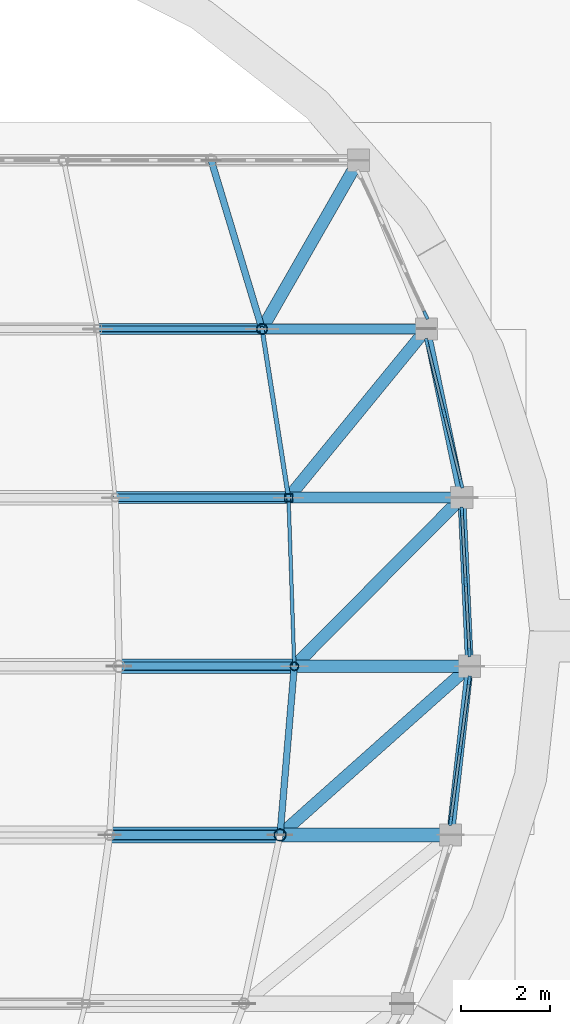
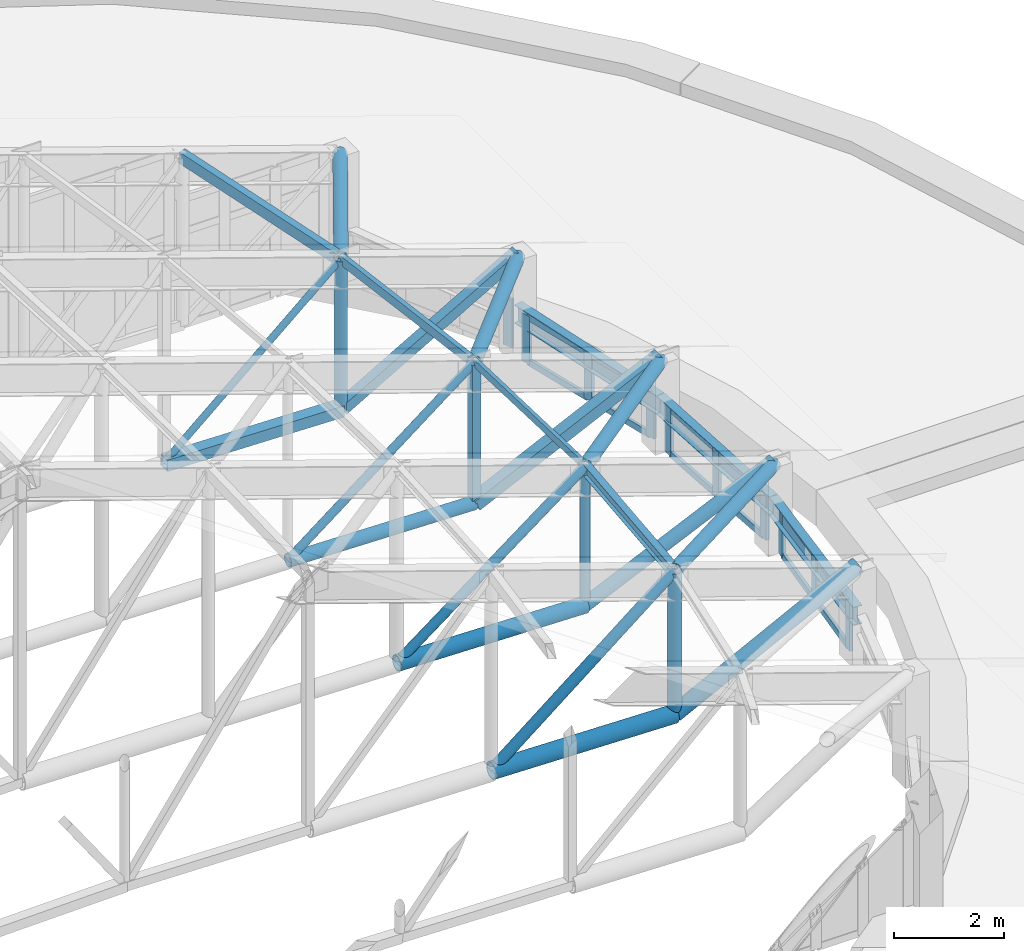
# One storey, part 20 of 105: 46 members, 3 beams, 4 elements without a shape of their own.
"""IFC4 building model written with IfcOpenShell, lengths in metres."""

from ifc_helpers import new_model, si_unit, direction, frame, origin, origin_2d, place, context, subcontext, project, spatial, rectangle, hollow_rectangle, hollow_circle, i_section, extrude, material, material_profile, profile_set, type_object, element, aggregate, save


model = new_model("IFC4")

# Units and contexts
model_context = context("Model", 3, precision=1e-05, world=origin(), true_north=direction((0.0, 1.0)))
body_context = subcontext(model_context, "Body", "Model", "MODEL_VIEW")
ifc_project = project(units=[si_unit("LENGTHUNIT", "METRE"), si_unit("AREAUNIT", "SQUARE_METRE"), si_unit("VOLUMEUNIT", "CUBIC_METRE"), si_unit("PLANEANGLEUNIT", "RADIAN"), si_unit("MASSUNIT", "GRAM", prefix="KILO")], contexts=[model_context])

# Site, building, storey
site_placement = place(None, origin())
site = spatial("IfcSite", under=ifc_project, at=site_placement, CompositionType="ELEMENT")
building_placement = place(site_placement, origin())
building = spatial("IfcBuilding", under=site, at=building_placement, Name="Corveleigh Park Community Centre", CompositionType="ELEMENT")
storey_placement = place(building_placement, frame((0.0, 0.0, 8.699951171875)))
storey = spatial("IfcBuildingStorey", under=building, at=storey_placement, Name="L02", CompositionType="ELEMENT", Elevation=8.699951171875)

# Beams
ifc_material_1 = material(Name="Steel S355", Category="steel")
ifc_material_profile_1 = material_profile(ifc_material_1, i_section(OverallWidth=0.1787109375, OverallDepth=0.409423828125, WebThickness=0.0087890625, FlangeThickness=0.014404296875, at=origin_2d()), Name="UKB 406x178x67", Category="steel")
ifc_profile_set_1 = profile_set([ifc_material_profile_1], Name="Steel S355")
beam_type = type_object("IfcBeamType", Name="BM-STL-UKB406x67", PredefinedType="BEAM", material=ifc_profile_set_1)
beam_1_placement = place(storey_placement, frame((46.359619140625, 23.0048828125, 0.915283203125), z_axis=(0.111892750886, 0.993720288763, 0.0), x_axis=(-0.993720288763, 0.111892750886, 0.0)))
element("IfcBeam", 1, at=beam_1_placement, inside=storey, type_object=beam_type, Name="V1 East Eave Tie Beam", PredefinedType="BEAM", context=body_context, shape_type="SweptSolid", body=[
    extrude(i_section(OverallWidth=0.1787109375, OverallDepth=0.409423828125, WebThickness=0.0087890625, FlangeThickness=0.014404296875, at=origin_2d()), origin(), (0.0, 0.0, 1.0), 3.81396484375),
])
beam_2_placement = place(storey_placement, frame((46.786865234375, 26.804931640625, 0.915283203125), z_axis=(-0.045495229392, 0.998964555979, 0.0), x_axis=(-0.998964555979, -0.045495229392, 0.0)))
element("IfcBeam", 2, at=beam_2_placement, inside=storey, type_object=beam_type, Name="V1 East Eave Tie Beam", PredefinedType="BEAM", context=body_context, shape_type="SweptSolid", body=[
    extrude(i_section(OverallWidth=0.1787109375, OverallDepth=0.409423828125, WebThickness=0.0087890625, FlangeThickness=0.014404296875, at=origin_2d()), origin(), (0.0, 0.0, 1.0), 3.7939453125),
])
beam_3_placement = place(storey_placement, frame((46.613037109375, 30.60498046875, 0.915283203125), z_axis=(-0.204790105702, 0.978805911612, 0.0), x_axis=(-0.978805911612, -0.204790105702, 0.0)))
element("IfcBeam", 3, at=beam_3_placement, inside=storey, type_object=beam_type, Name="V1 East Eave Tie Beam", PredefinedType="BEAM", context=body_context, shape_type="SweptSolid", body=[
    extrude(i_section(OverallWidth=0.1787109375, OverallDepth=0.409423828125, WebThickness=0.0087890625, FlangeThickness=0.014404296875, at=origin_2d()), origin(), (0.0, 0.0, 1.0), 3.8720703125),
])

# Curtain wall, members
ifc_material_2 = material(Name="Anodised aluminium 6063-T6", Category="aluminium")
curtain_wall_type = type_object("IfcCurtainWallType", Name="CW-SYS-V1-L00", PredefinedType="NOTDEFINED", material=ifc_material_2)
curtain_wall_1_placement = place(storey_placement, origin())
curtain_wall_1 = element("IfcCurtainWall", 4, at=curtain_wall_1_placement, inside=storey, type_object=curtain_wall_type, Name="Main Hall East Eave Clerestory 3", PredefinedType="NOTDEFINED")
ifc_material_profile_2 = material_profile(ifc_material_2, rectangle(XDim=0.070068359375, YDim=0.199951171875, at=origin_2d()), Name="ALU-M70x200", Category="aluminium")
ifc_profile_set_2 = profile_set([ifc_material_profile_2], Name="Anodised aluminium 6063-T6")
member_type_1 = type_object("IfcMemberType", Name="CWM-70x200", PredefinedType="MULLION", material=ifc_profile_set_2)
member_1_placement = place(storey_placement, frame((46.782470703125, 26.4853515625, 0.0), z_axis=(0.0, 0.0, 1.0), x_axis=(0.991387512069, -0.130961066405, 0.0)))
member_1 = element("IfcMember", 5, at=member_1_placement, type_object=member_type_1, Name="CW01 mullion 1", PredefinedType="MULLION", context=body_context, shape_type="SweptSolid", body=[
    extrude(rectangle(XDim=0.070068359375, YDim=0.199951171875, at=origin_2d()), origin(), (0.0, 0.0, 1.0), 1.06005859375),
])
member_2_placement = place(storey_placement, frame((46.572998046875, 24.89990234375, 0.0), z_axis=(0.0, 0.0, 1.0), x_axis=(0.991387512069, -0.130961066405, 0.0)))
member_2 = element("IfcMember", 6, at=member_2_placement, type_object=member_type_1, Name="CW01 mullion 2", PredefinedType="MULLION", context=body_context, shape_type="SweptSolid", body=[
    extrude(rectangle(XDim=0.070068359375, YDim=0.199951171875, at=origin_2d()), origin(), (0.0, 0.0, 1.0), 1.06005859375),
])
member_3_placement = place(storey_placement, frame((46.363525390625, 23.314697265625, 0.0), z_axis=(0.0, 0.0, 1.0), x_axis=(0.991387512069, -0.130961066405, 0.0)))
member_3 = element("IfcMember", 7, at=member_3_placement, type_object=member_type_1, Name="CW01 mullion 3", PredefinedType="MULLION", context=body_context, shape_type="SweptSolid", body=[
    extrude(rectangle(XDim=0.070068359375, YDim=0.199951171875, at=origin_2d()), origin(), (0.0, 0.0, 1.0), 1.06005859375),
])

curtain_wall_2_placement = place(storey_placement, origin())
curtain_wall_2 = element("IfcCurtainWall", 8, at=curtain_wall_2_placement, inside=storey, type_object=curtain_wall_type, Name="Main Hall East Eave Clerestory 4", PredefinedType="NOTDEFINED")
member_4_placement = place(storey_placement, frame((46.615966796875, 30.28515625, 0.0), z_axis=(0.0, 0.0, 1.0), x_axis=(0.998577524613, 0.053319108566, 0.0)))
member_4 = element("IfcMember", 9, at=member_4_placement, type_object=member_type_1, Name="CW01 mullion 1", PredefinedType="MULLION", context=body_context, shape_type="SweptSolid", body=[
    extrude(rectangle(XDim=0.070068359375, YDim=0.199951171875, at=origin_2d()), origin(), (0.0, 0.0, 1.0), 1.06005859375),
])
member_5_placement = place(storey_placement, frame((46.700439453125, 28.699951171875, 0.0), z_axis=(0.0, 0.0, 1.0), x_axis=(0.998577524613, 0.053319108566, 0.0)))
member_5 = element("IfcMember", 10, at=member_5_placement, type_object=member_type_1, Name="CW01 mullion 2", PredefinedType="MULLION", context=body_context, shape_type="SweptSolid", body=[
    extrude(rectangle(XDim=0.070068359375, YDim=0.199951171875, at=origin_2d()), origin(), (0.0, 0.0, 1.0), 1.06005859375),
])
member_6_placement = place(storey_placement, frame((46.78515625, 27.114990234375, 0.0), z_axis=(0.0, 0.0, 1.0), x_axis=(0.998577524613, 0.053319108566, 0.0)))
member_6 = element("IfcMember", 11, at=member_6_placement, type_object=member_type_1, Name="CW01 mullion 3", PredefinedType="MULLION", context=body_context, shape_type="SweptSolid", body=[
    extrude(rectangle(XDim=0.070068359375, YDim=0.199951171875, at=origin_2d()), origin(), (0.0, 0.0, 1.0), 1.06005859375),
])

curtain_wall_3_placement = place(storey_placement, origin())
curtain_wall_3 = element("IfcCurtainWall", 12, at=curtain_wall_3_placement, inside=storey, type_object=curtain_wall_type, Name="Main Hall East Eave Clerestory 5", PredefinedType="NOTDEFINED")
member_7_placement = place(storey_placement, frame((45.827392578125, 34.0859375, 0.0), z_axis=(0.0, 0.0, 1.0), x_axis=(0.971191213089, 0.238301547662, 0.0)))
member_7 = element("IfcMember", 13, at=member_7_placement, type_object=member_type_1, Name="CW01 mullion 1", PredefinedType="MULLION", context=body_context, shape_type="SweptSolid", body=[
    extrude(rectangle(XDim=0.070068359375, YDim=0.199951171875, at=origin_2d()), origin(), (0.0, 0.0, 1.0), 1.06005859375),
])
member_8_placement = place(storey_placement, frame((46.216552734375, 32.5, 0.0), z_axis=(0.0, 0.0, 1.0), x_axis=(0.971191213089, 0.238301547662, 0.0)))
member_8 = element("IfcMember", 14, at=member_8_placement, type_object=member_type_1, Name="CW01 mullion 2", PredefinedType="MULLION", context=body_context, shape_type="SweptSolid", body=[
    extrude(rectangle(XDim=0.070068359375, YDim=0.199951171875, at=origin_2d()), origin(), (0.0, 0.0, 1.0), 1.06005859375),
])
member_9_placement = place(storey_placement, frame((46.605712890625, 30.9140625, 0.0), z_axis=(0.0, 0.0, 1.0), x_axis=(0.971191213089, 0.238301547662, 0.0)))
member_9 = element("IfcMember", 15, at=member_9_placement, type_object=member_type_1, Name="CW01 mullion 3", PredefinedType="MULLION", context=body_context, shape_type="SweptSolid", body=[
    extrude(rectangle(XDim=0.070068359375, YDim=0.199951171875, at=origin_2d()), origin(), (0.0, 0.0, 1.0), 1.06005859375),
])

# Curtain wall, member
curtain_wall_4_placement = place(storey_placement, origin())
curtain_wall_4 = element("IfcCurtainWall", 16, at=curtain_wall_4_placement, inside=storey, type_object=curtain_wall_type, Name="Main Hall East Eave Clerestory 6", PredefinedType="NOTDEFINED")
member_10_placement = place(storey_placement, frame((45.803955078125, 34.711669921875, 0.0), z_axis=(0.0, 0.0, 1.0), x_axis=(0.904356392626, 0.426778063068, 0.0)))
member_10 = element("IfcMember", 17, at=member_10_placement, type_object=member_type_1, Name="CW01 mullion 4", PredefinedType="MULLION", context=body_context, shape_type="SweptSolid", body=[
    extrude(rectangle(XDim=0.070068359375, YDim=0.199951171875, at=origin_2d()), origin(), (0.0, 0.0, 1.0), 1.06005859375),
])
aggregate(curtain_wall_4, [member_10])

# Member
ifc_material_profile_3 = material_profile(ifc_material_2, rectangle(XDim=0.06494140625, YDim=0.139892578125, at=origin_2d()), Name="ALU-T65x140", Category="aluminium")
ifc_profile_set_3 = profile_set([ifc_material_profile_3], Name="Anodised aluminium 6063-T6")
member_type_2 = type_object("IfcMemberType", Name="CWT-65x140", PredefinedType="USERDEFINED", material=ifc_profile_set_3)
member_11_placement = place(storey_placement, frame((46.77783203125, 26.45068359375, 0.032470703125), z_axis=(-0.130929486273, -0.991391683254, 0.0), x_axis=(0.991391683254, -0.130929486273, 0.0)))
member_11 = element("IfcMember", 18, at=member_11_placement, type_object=member_type_2, Name="CW01 transom 1.1", ObjectType="TRANSOM", PredefinedType="USERDEFINED", context=body_context, shape_type="SweptSolid", body=[
    extrude(rectangle(XDim=0.06494140625, YDim=0.139892578125, at=origin_2d()), origin(), (0.0, 0.0, 1.0), 1.529052734375),
])

member_12_placement = place(storey_placement, frame((46.77783203125, 26.45068359375, 1.027587890625), z_axis=(-0.130929486273, -0.991391683254, 0.0), x_axis=(0.991391683254, -0.130929486273, 0.0)))
member_12 = element("IfcMember", 19, at=member_12_placement, type_object=member_type_2, Name="CW01 transom 1.2", ObjectType="TRANSOM", PredefinedType="USERDEFINED", context=body_context, shape_type="SweptSolid", body=[
    extrude(rectangle(XDim=0.06494140625, YDim=0.139892578125, at=origin_2d()), origin(), (0.0, 0.0, 1.0), 1.529052734375),
])

member_13_placement = place(storey_placement, frame((46.568359375, 24.865234375, 0.032470703125), z_axis=(-0.130929486273, -0.991391683254, 0.0), x_axis=(0.991391683254, -0.130929486273, 0.0)))
member_13 = element("IfcMember", 20, at=member_13_placement, type_object=member_type_2, Name="CW01 transom 2.1", ObjectType="TRANSOM", PredefinedType="USERDEFINED", context=body_context, shape_type="SweptSolid", body=[
    extrude(rectangle(XDim=0.06494140625, YDim=0.139892578125, at=origin_2d()), origin(), (0.0, 0.0, 1.0), 1.529052734375),
])

member_14_placement = place(storey_placement, frame((46.568359375, 24.865234375, 1.027587890625), z_axis=(-0.130929486273, -0.991391683254, 0.0), x_axis=(0.991391683254, -0.130929486273, 0.0)))
member_14 = element("IfcMember", 21, at=member_14_placement, type_object=member_type_2, Name="CW01 transom 2.2", ObjectType="TRANSOM", PredefinedType="USERDEFINED", context=body_context, shape_type="SweptSolid", body=[
    extrude(rectangle(XDim=0.06494140625, YDim=0.139892578125, at=origin_2d()), origin(), (0.0, 0.0, 1.0), 1.529052734375),
])

aggregate(curtain_wall_1, [member_1, member_2, member_3, member_11, member_12, member_13, member_14])

member_15_placement = place(storey_placement, frame((46.61767578125, 30.25, 0.032470703125), z_axis=(0.053420229436, -0.998572120123, 0.0), x_axis=(0.998572120123, 0.053420229436, 0.0)))
member_15 = element("IfcMember", 22, at=member_15_placement, type_object=member_type_2, Name="CW01 transom 1.1", ObjectType="TRANSOM", PredefinedType="USERDEFINED", context=body_context, shape_type="SweptSolid", body=[
    extrude(rectangle(XDim=0.06494140625, YDim=0.139892578125, at=origin_2d()), origin(), (0.0, 0.0, 1.0), 1.517333984375),
])

member_16_placement = place(storey_placement, frame((46.61767578125, 30.25, 1.027587890625), z_axis=(0.053420229436, -0.998572120123, 0.0), x_axis=(0.998572120123, 0.053420229436, 0.0)))
member_16 = element("IfcMember", 23, at=member_16_placement, type_object=member_type_2, Name="CW01 transom 1.2", ObjectType="TRANSOM", PredefinedType="USERDEFINED", context=body_context, shape_type="SweptSolid", body=[
    extrude(rectangle(XDim=0.06494140625, YDim=0.139892578125, at=origin_2d()), origin(), (0.0, 0.0, 1.0), 1.517333984375),
])

member_17_placement = place(storey_placement, frame((46.702392578125, 28.6650390625, 0.032470703125), z_axis=(0.05325978224, -0.998580690578, 0.0), x_axis=(0.998580690578, 0.05325978224, 0.0)))
member_17 = element("IfcMember", 24, at=member_17_placement, type_object=member_type_2, Name="CW01 transom 2.1", ObjectType="TRANSOM", PredefinedType="USERDEFINED", context=body_context, shape_type="SweptSolid", body=[
    extrude(rectangle(XDim=0.06494140625, YDim=0.139892578125, at=origin_2d()), origin(), (0.0, 0.0, 1.0), 1.517333984375),
])

member_18_placement = place(storey_placement, frame((46.702392578125, 28.6650390625, 1.027587890625), z_axis=(0.05325978224, -0.998580690578, 0.0), x_axis=(0.998580690578, 0.05325978224, 0.0)))
member_18 = element("IfcMember", 25, at=member_18_placement, type_object=member_type_2, Name="CW01 transom 2.2", ObjectType="TRANSOM", PredefinedType="USERDEFINED", context=body_context, shape_type="SweptSolid", body=[
    extrude(rectangle(XDim=0.06494140625, YDim=0.139892578125, at=origin_2d()), origin(), (0.0, 0.0, 1.0), 1.517333984375),
])

aggregate(curtain_wall_2, [member_4, member_5, member_6, member_15, member_16, member_17, member_18])

member_19_placement = place(storey_placement, frame((45.835693359375, 34.052001953125, 0.032470703125), z_axis=(0.238343833451, -0.971180836434, 0.0), x_axis=(0.971180836434, 0.238343833451, 0.0)))
member_19 = element("IfcMember", 26, at=member_19_placement, type_object=member_type_2, Name="CW01 transom 1.1", ObjectType="TRANSOM", PredefinedType="USERDEFINED", context=body_context, shape_type="SweptSolid", body=[
    extrude(rectangle(XDim=0.06494140625, YDim=0.139892578125, at=origin_2d()), origin(), (0.0, 0.0, 1.0), 1.563232421875),
])

member_20_placement = place(storey_placement, frame((45.835693359375, 34.052001953125, 1.027587890625), z_axis=(0.238343833451, -0.971180836434, 0.0), x_axis=(0.971180836434, 0.238343833451, 0.0)))
member_20 = element("IfcMember", 27, at=member_20_placement, type_object=member_type_2, Name="CW01 transom 1.2", ObjectType="TRANSOM", PredefinedType="USERDEFINED", context=body_context, shape_type="SweptSolid", body=[
    extrude(rectangle(XDim=0.06494140625, YDim=0.139892578125, at=origin_2d()), origin(), (0.0, 0.0, 1.0), 1.563232421875),
])

member_21_placement = place(storey_placement, frame((46.224853515625, 32.466064453125, 0.032470703125), z_axis=(0.238343833451, -0.971180836434, 0.0), x_axis=(0.971180836434, 0.238343833451, 0.0)))
member_21 = element("IfcMember", 28, at=member_21_placement, type_object=member_type_2, Name="CW01 transom 2.1", ObjectType="TRANSOM", PredefinedType="USERDEFINED", context=body_context, shape_type="SweptSolid", body=[
    extrude(rectangle(XDim=0.06494140625, YDim=0.139892578125, at=origin_2d()), origin(), (0.0, 0.0, 1.0), 1.563232421875),
])

member_22_placement = place(storey_placement, frame((46.224853515625, 32.466064453125, 1.027587890625), z_axis=(0.238343833451, -0.971180836434, 0.0), x_axis=(0.971180836434, 0.238343833451, 0.0)))
member_22 = element("IfcMember", 29, at=member_22_placement, type_object=member_type_2, Name="CW01 transom 2.2", ObjectType="TRANSOM", PredefinedType="USERDEFINED", context=body_context, shape_type="SweptSolid", body=[
    extrude(rectangle(XDim=0.06494140625, YDim=0.139892578125, at=origin_2d()), origin(), (0.0, 0.0, 1.0), 1.563232421875),
])

aggregate(curtain_wall_3, [member_7, member_8, member_9, member_19, member_20, member_21, member_22])

# Members
ifc_material_profile_4 = material_profile(ifc_material_1, hollow_circle(Radius=0.06982421875, WallThickness=0.008056640625, at=origin_2d()), Name="CHS 139.7x8.0", Category="steel")
ifc_profile_set_4 = profile_set([ifc_material_profile_4], Name="Steel S355")
member_type_3 = type_object("IfcMemberType", Name="MEM-BRC-CHS140", PredefinedType="BRACE", material=ifc_profile_set_4)
member_23_placement = place(storey_placement, frame((42.114013671875, 34.39990234375, 3.40283203125), z_axis=(-0.753917237972, 0.0, -0.656969404378), x_axis=(0.0, -1.0, 0.0)))
element("IfcMember", 30, at=member_23_placement, inside=storey, type_object=member_type_3, Name="V1 Truss T6 Web Diagonal", PredefinedType="BRACE", context=body_context, shape_type="SweptSolid", body=[
    extrude(hollow_circle(Radius=0.06982421875, WallThickness=0.008056640625, at=origin_2d()), origin(), (0.0, 0.0, 1.0), 4.9130859375),
])
ifc_material_profile_5 = material_profile(ifc_material_1, hollow_circle(Radius=0.084228515625, WallThickness=0.008056640625, at=origin_2d()), Name="CHS 168.3x8.0", Category="steel")
ifc_profile_set_5 = profile_set([ifc_material_profile_5], Name="Steel S355")
member_type_4 = type_object("IfcMemberType", Name="MEM-BRC-CHS168", PredefinedType="BRACE", material=ifc_profile_set_5)
member_24_placement = place(storey_placement, frame((42.7099609375, 30.60009765625, 3.19921875), z_axis=(-0.790485073874, 0.0, -0.61248130419), x_axis=(0.0, -1.0, 0.0)))
element("IfcMember", 31, at=member_24_placement, inside=storey, type_object=member_type_4, Name="V1 Truss T5 Web Diagonal", PredefinedType="BRACE", context=body_context, shape_type="SweptSolid", body=[
    extrude(hollow_circle(Radius=0.084228515625, WallThickness=0.008056640625, at=origin_2d()), origin(), (0.0, 0.0, 1.0), 4.9375),
])
ifc_material_profile_6 = material_profile(ifc_material_1, hollow_circle(Radius=0.096923828125, WallThickness=0.010009765625, at=origin_2d()), Name="CHS 193.7x10.0", Category="steel")
ifc_profile_set_6 = profile_set([ifc_material_profile_6], Name="Steel S355")
member_type_5 = type_object("IfcMemberType", Name="MEM-BRC-CHS194", PredefinedType="BRACE", material=ifc_profile_set_6)
member_25_placement = place(storey_placement, frame((42.840087890625, 26.800048828125, 3.15478515625), z_axis=(-0.798106286983, 0.0, -0.602516684149), x_axis=(0.0, -1.0, 0.0)))
element("IfcMember", 32, at=member_25_placement, inside=storey, type_object=member_type_5, Name="V1 Truss T4 Web Diagonal", PredefinedType="BRACE", context=body_context, shape_type="SweptSolid", body=[
    extrude(hollow_circle(Radius=0.096923828125, WallThickness=0.010009765625, at=origin_2d()), origin(), (0.0, 0.0, 1.0), 4.945556640625),
])
ifc_material_profile_7 = material_profile(ifc_material_1, hollow_circle(Radius=0.109619140625, WallThickness=0.010009765625, at=origin_2d()), Name="CHS 219.1x10.0", Category="steel")
ifc_profile_set_7 = profile_set([ifc_material_profile_7], Name="Steel S355")
member_type_6 = type_object("IfcMemberType", Name="MEM-BRC-CHS219", PredefinedType="BRACE", material=ifc_profile_set_7)
member_26_placement = place(storey_placement, frame((42.51904296875, 23.0, 3.264404296875), z_axis=(-0.779077196952, 0.0, -0.626928003194), x_axis=(0.0, -1.0, 0.0)))
element("IfcMember", 33, at=member_26_placement, inside=storey, type_object=member_type_6, Name="V1 Truss T3 Web Diagonal", PredefinedType="BRACE", context=body_context, shape_type="SweptSolid", body=[
    extrude(hollow_circle(Radius=0.109619140625, WallThickness=0.010009765625, at=origin_2d()), origin(), (0.0, 0.0, 1.0), 4.927734375),
])
ifc_material_profile_8 = material_profile(ifc_material_1, hollow_circle(Radius=0.136474609375, WallThickness=0.012451171875, at=origin_2d()), Name="CHS 273.0x12.5", Category="steel")
ifc_profile_set_8 = profile_set([ifc_material_profile_8], Name="Steel S355")
member_type_7 = type_object("IfcMemberType", Name="MEM-CHD-CHS273", PredefinedType="CHORD", material=ifc_profile_set_8)
member_27_placement = place(storey_placement, frame((42.840087890625, 26.800048828125, 0.087158203125), z_axis=(0.90950911558, 0.0, 0.41568397693), x_axis=(0.0, 1.0, 0.0)))
element("IfcMember", 34, at=member_27_placement, inside=storey, type_object=member_type_7, Name="V1 Truss T4 Bottom Chord", PredefinedType="CHORD", context=body_context, shape_type="SweptSolid", body=[
    extrude(hollow_circle(Radius=0.136474609375, WallThickness=0.012451171875, at=origin_2d()), origin(), (0.0, 0.0, 1.0), 4.33984375),
])
member_28_placement = place(storey_placement, frame((38.806884765625, 30.60009765625, 0.175048828125), z_axis=(0.999746559551, 0.0, -0.022512589069), x_axis=(0.0, 1.0, 0.0)))
element("IfcMember", 35, at=member_28_placement, inside=storey, type_object=member_type_7, Name="V1 Truss T5 Bottom Chord", PredefinedType="CHORD", context=body_context, shape_type="SweptSolid", body=[
    extrude(hollow_circle(Radius=0.136474609375, WallThickness=0.012451171875, at=origin_2d()), origin(), (0.0, 0.0, 1.0), 3.904052734375),
])
ifc_material_profile_9 = material_profile(ifc_material_1, hollow_circle(Radius=0.161865234375, WallThickness=0.01611328125, at=origin_2d()), Name="CHS 323.9x16.0", Category="steel")
ifc_profile_set_9 = profile_set([ifc_material_profile_9], Name="Steel S355")
member_type_8 = type_object("IfcMemberType", Name="MEM-CHD-CHS324", PredefinedType="CHORD", material=ifc_profile_set_9)
member_29_placement = place(storey_placement, frame((42.51904296875, 23.0, 0.087158203125), z_axis=(0.891620646648, 0.0, 0.452783195879), x_axis=(0.0, 1.0, 0.0)))
element("IfcMember", 36, at=member_29_placement, inside=storey, type_object=member_type_8, Name="V1 Truss T3 Bottom Chord", PredefinedType="CHORD", context=body_context, shape_type="SweptSolid", body=[
    extrude(hollow_circle(Radius=0.161865234375, WallThickness=0.01611328125, at=origin_2d()), origin(), (0.0, 0.0, 1.0), 4.306640625),
])
member_30_placement = place(storey_placement, frame((38.89306640625, 26.800048828125, 0.175048828125), z_axis=(0.999752169554, 0.0, -0.022262063527), x_axis=(0.0, 1.0, 0.0)))
element("IfcMember", 37, at=member_30_placement, inside=storey, type_object=member_type_8, Name="V1 Truss T4 Bottom Chord", PredefinedType="CHORD", context=body_context, shape_type="SweptSolid", body=[
    extrude(hollow_circle(Radius=0.161865234375, WallThickness=0.01611328125, at=origin_2d()), origin(), (0.0, 0.0, 1.0), 3.947998046875),
])
ifc_material_profile_10 = material_profile(ifc_material_1, hollow_circle(Radius=0.177734375, WallThickness=0.01611328125, at=origin_2d()), Name="CHS 355.6x16.0", Category="steel")
ifc_profile_set_10 = profile_set([ifc_material_profile_10], Name="Steel S355")
member_type_9 = type_object("IfcMemberType", Name="MEM-CHD-CHS356", PredefinedType="CHORD", material=ifc_profile_set_10)
member_31_placement = place(storey_placement, frame((38.679931640625, 23.0, 0.175048828125), z_axis=(0.999738047212, 0.0, -0.022887484706), x_axis=(0.0, 1.0, 0.0)))
element("IfcMember", 38, at=member_31_placement, inside=storey, type_object=member_type_9, Name="V1 Truss T3 Bottom Chord", PredefinedType="CHORD", context=body_context, shape_type="SweptSolid", body=[
    extrude(hollow_circle(Radius=0.177734375, WallThickness=0.01611328125, at=origin_2d()), origin(), (0.0, 0.0, 1.0), 3.840087890625),
])
ifc_material_profile_11 = material_profile(ifc_material_1, hollow_rectangle(XDim=0.219970703125, YDim=0.219970703125, WallThickness=0.012451171875, at=origin_2d()), Name="SHS 220x220x12.5", Category="steel")
ifc_profile_set_11 = profile_set([ifc_material_profile_11], Name="Steel S355")
member_type_10 = type_object("IfcMemberType", Name="MEM-CHD-SHS220", PredefinedType="CHORD", material=ifc_profile_set_11)
member_32_placement = place(storey_placement, frame((42.114013671875, 34.39990234375, 0.087158203125), z_axis=(0.866442104805, 0.0, 0.499277557098), x_axis=(0.0, 1.0, 0.0)))
element("IfcMember", 39, at=member_32_placement, inside=storey, type_object=member_type_10, Name="V1 Truss T6 Bottom Chord", PredefinedType="CHORD", context=body_context, shape_type="SweptSolid", body=[
    extrude(hollow_rectangle(XDim=0.219970703125, YDim=0.219970703125, WallThickness=0.012451171875, at=origin_2d()), origin(), (0.0, 0.0, 1.0), 4.276123046875),
])
ifc_material_profile_12 = material_profile(ifc_material_1, hollow_rectangle(XDim=0.25, YDim=0.25, WallThickness=0.012451171875, at=origin_2d()), Name="SHS 250x250x12.5", Category="steel")
ifc_profile_set_12 = profile_set([ifc_material_profile_12], Name="Steel S355")
member_type_11 = type_object("IfcMemberType", Name="MEM-CHD-SHS250", PredefinedType="CHORD", material=ifc_profile_set_12)
member_33_placement = place(storey_placement, frame((42.7099609375, 30.60009765625, 0.087158203125), z_axis=(0.902526407689, 0.0, 0.43063451258), x_axis=(0.0, 1.0, 0.0)))
element("IfcMember", 40, at=member_33_placement, inside=storey, type_object=member_type_11, Name="V1 Truss T5 Bottom Chord", PredefinedType="CHORD", context=body_context, shape_type="SweptSolid", body=[
    extrude(hollow_rectangle(XDim=0.25, YDim=0.25, WallThickness=0.012451171875, at=origin_2d()), origin(), (0.0, 0.0, 1.0), 4.32568359375),
])
member_34_placement = place(storey_placement, frame((38.409912109375, 34.39990234375, 0.175048828125), z_axis=(0.999718611723, 0.0, -0.023721243094), x_axis=(0.0, 1.0, 0.0)))
element("IfcMember", 41, at=member_34_placement, inside=storey, type_object=member_type_11, Name="V1 Truss T6 Bottom Chord", PredefinedType="CHORD", context=body_context, shape_type="SweptSolid", body=[
    extrude(hollow_rectangle(XDim=0.25, YDim=0.25, WallThickness=0.012451171875, at=origin_2d()), origin(), (0.0, 0.0, 1.0), 3.705078125),
])
ifc_material_profile_13 = material_profile(ifc_material_1, hollow_rectangle(XDim=0.080078125, YDim=0.159912109375, WallThickness=0.008056640625, at=origin_2d()), Name="RHS 160x80x8.0", Category="steel")
ifc_profile_set_13 = profile_set([ifc_material_profile_13], Name="Steel S355")
member_type_12 = type_object("IfcMemberType", Name="MEM-PRL-RHS160", PredefinedType="PURLIN", material=ifc_profile_set_13)
member_35_placement = place(storey_placement, frame((42.840087890625, 26.800048828125, 3.177734375), z_axis=(-0.034221098808, 0.99934597175, 0.011685253251), x_axis=(-0.999414206657, -0.034223435409, 0.0)))
element("IfcMember", 42, at=member_35_placement, inside=storey, type_object=member_type_12, Name="V1 Pitched Roof Purlin", PredefinedType="PURLIN", context=body_context, shape_type="SweptSolid", body=[
    extrude(hollow_rectangle(XDim=0.080078125, YDim=0.159912109375, WallThickness=0.008056640625, at=origin_2d()), origin(), (0.0, 0.0, 1.0), 3.802490234375),
])
ifc_material_profile_14 = material_profile(ifc_material_1, hollow_rectangle(XDim=0.10009765625, YDim=0.199951171875, WallThickness=0.008056640625, at=origin_2d()), Name="RHS 200x100x8.0", Category="steel")
ifc_profile_set_14 = profile_set([ifc_material_profile_14], Name="Steel S355")
member_type_13 = type_object("IfcMemberType", Name="MEM-PRL-RHS200", PredefinedType="PURLIN", material=ifc_profile_set_14)
member_36_placement = place(storey_placement, frame((42.7099609375, 30.60009765625, 3.2021484375), z_axis=(-0.154725606812, 0.986542132085, 0.052864054109), x_axis=(-0.987923527479, -0.154942259739, 0.0)))
element("IfcMember", 43, at=member_36_placement, inside=storey, type_object=member_type_13, Name="V1 Pitched Roof Purlin", PredefinedType="PURLIN", context=body_context, shape_type="SweptSolid", body=[
    extrude(hollow_rectangle(XDim=0.10009765625, YDim=0.199951171875, WallThickness=0.008056640625, at=origin_2d()), origin(), (0.0, 0.0, 1.0), 3.8515625),
])
ifc_material_profile_15 = material_profile(ifc_material_1, hollow_rectangle(XDim=0.14990234375, YDim=0.25, WallThickness=0.010009765625, at=origin_2d()), Name="RHS 250x150x10.0", Category="steel")
ifc_profile_set_15 = profile_set([ifc_material_profile_15], Name="Steel S355")
member_type_14 = type_object("IfcMemberType", Name="MEM-PRL-RHS250", PredefinedType="PURLIN", material=ifc_profile_set_15)
member_37_placement = place(storey_placement, frame((42.114013671875, 34.39990234375, 3.380859375), z_axis=(-0.287335038386, 0.952784378458, 0.098186067655), x_axis=(-0.957410514925, -0.28873016107, 0.0)))
element("IfcMember", 44, at=member_37_placement, inside=storey, type_object=member_type_14, Name="V1 Pitched Roof Purlin", PredefinedType="PURLIN", context=body_context, shape_type="SweptSolid", body=[
    extrude(hollow_rectangle(XDim=0.14990234375, YDim=0.25, WallThickness=0.010009765625, at=origin_2d()), origin(), (0.0, 0.0, 1.0), 3.98828125),
])
ifc_material_profile_16 = material_profile(ifc_material_1, i_section(OverallWidth=0.14599609375, OverallDepth=0.25146484375, WebThickness=0.006103515625, FlangeThickness=0.008544921875, at=origin_2d()), Name="UKB 254x146x31", Category="steel")
ifc_profile_set_16 = profile_set([ifc_material_profile_16], Name="Steel S355")
member_type_15 = type_object("IfcMemberType", Name="MEM-PRL-UKB254", PredefinedType="PURLIN", material=ifc_profile_set_16)
member_38_placement = place(storey_placement, frame((42.51904296875, 23.0, 3.24169921875), z_axis=(0.084149759223, 0.996038785025, -0.028732503339), x_axis=(-0.996450183037, 0.084184515946, 0.0)))
element("IfcMember", 45, at=member_38_placement, inside=storey, type_object=member_type_15, Name="V1 Pitched Roof Purlin", PredefinedType="PURLIN", context=body_context, shape_type="SweptSolid", body=[
    extrude(i_section(OverallWidth=0.14599609375, OverallDepth=0.25146484375, WebThickness=0.006103515625, FlangeThickness=0.008544921875, at=origin_2d()), origin(), (0.0, 0.0, 1.0), 3.815185546875),
])
ifc_material_profile_17 = material_profile(ifc_material_1, hollow_circle(Radius=0.096923828125, WallThickness=0.010009765625, at=origin_2d()), Name="CHS 193.7x10.0", Category="steel")
ifc_profile_set_17 = profile_set([ifc_material_profile_17], Name="Steel S355")
member_type_16 = type_object("IfcMemberType", Name="MEM-STR-CHS194I", PredefinedType="STRUT", material=ifc_profile_set_17)
member_39_placement = place(storey_placement, frame((42.840087890625, 26.800048828125, 0.087158203125), z_axis=(0.0, 0.0, 1.0), x_axis=(1.0, 0.0, 0.0)))
element("IfcMember", 46, at=member_39_placement, inside=storey, type_object=member_type_16, Name="V1 Truss T4 Web Post", PredefinedType="STRUT", context=body_context, shape_type="SweptSolid", body=[
    extrude(hollow_circle(Radius=0.096923828125, WallThickness=0.010009765625, at=origin_2d()), origin(), (0.0, 0.0, 1.0), 3.067626953125),
])
ifc_material_profile_18 = material_profile(ifc_material_1, hollow_circle(Radius=0.122314453125, WallThickness=0.012451171875, at=origin_2d()), Name="CHS 244.5x12.5", Category="steel")
ifc_profile_set_18 = profile_set([ifc_material_profile_18], Name="Steel S355")
member_type_17 = type_object("IfcMemberType", Name="MEM-STR-CHS245", PredefinedType="STRUT", material=ifc_profile_set_18)
member_40_placement = place(storey_placement, frame((42.114013671875, 34.39990234375, 0.087158203125), z_axis=(0.0, 0.0, 1.0), x_axis=(1.0, 0.0, 0.0)))
element("IfcMember", 47, at=member_40_placement, inside=storey, type_object=member_type_17, Name="V1 Truss T6 Web Post", PredefinedType="STRUT", context=body_context, shape_type="SweptSolid", body=[
    extrude(hollow_circle(Radius=0.122314453125, WallThickness=0.012451171875, at=origin_2d()), origin(), (0.0, 0.0, 1.0), 3.315673828125),
])
ifc_material_profile_19 = material_profile(ifc_material_1, hollow_circle(Radius=0.136474609375, WallThickness=0.012451171875, at=origin_2d()), Name="CHS 273.0x12.5", Category="steel")
ifc_profile_set_19 = profile_set([ifc_material_profile_19], Name="Steel S355")
member_type_18 = type_object("IfcMemberType", Name="MEM-STR-CHS273E", PredefinedType="STRUT", material=ifc_profile_set_19)
member_41_placement = place(storey_placement, frame((42.51904296875, 23.0, 0.087158203125), z_axis=(0.0, 0.0, 1.0), x_axis=(1.0, 0.0, 0.0)))
element("IfcMember", 48, at=member_41_placement, inside=storey, type_object=member_type_18, Name="V1 Truss T3 Web Post", PredefinedType="STRUT", context=body_context, shape_type="SweptSolid", body=[
    extrude(hollow_circle(Radius=0.136474609375, WallThickness=0.012451171875, at=origin_2d()), origin(), (0.0, 0.0, 1.0), 3.17724609375),
])
member_42_placement = place(storey_placement, frame((42.51904296875, 23.0, 3.264404296875), z_axis=(0.723679086199, 0.644323588645, -0.24725633119), x_axis=(-0.664970863905, 0.746869299247, 0.0)))
element("IfcMember", 49, at=member_42_placement, inside=storey, type_object=member_type_18, Name="V1 Roof Wind Strut", PredefinedType="STRUT", context=body_context, shape_type="SweptSolid", body=[
    extrude(hollow_circle(Radius=0.136474609375, WallThickness=0.012451171875, at=origin_2d()), origin(), (0.0, 0.0, 1.0), 5.897705078125),
])
member_43_placement = place(storey_placement, frame((42.840087890625, 26.800048828125, 3.15478515625), z_axis=(0.685084052735, 0.689826192316, -0.234093282866), x_axis=(-0.709541410277, 0.704663740448, 0.0)))
element("IfcMember", 50, at=member_43_placement, inside=storey, type_object=member_type_18, Name="V1 Roof Wind Strut", PredefinedType="STRUT", context=body_context, shape_type="SweptSolid", body=[
    extrude(hollow_circle(Radius=0.136474609375, WallThickness=0.012451171875, at=origin_2d()), origin(), (0.0, 0.0, 1.0), 5.5087890625),
])
member_44_placement = place(storey_placement, frame((42.7099609375, 30.60009765625, 3.19921875), z_axis=(0.618941228264, 0.756435121845, -0.211465511125), x_axis=(-0.773937359137, 0.633262160666, 0.0)))
element("IfcMember", 51, at=member_44_placement, inside=storey, type_object=member_type_18, Name="V1 Roof Wind Strut", PredefinedType="STRUT", context=body_context, shape_type="SweptSolid", body=[
    extrude(hollow_circle(Radius=0.136474609375, WallThickness=0.012451171875, at=origin_2d()), origin(), (0.0, 0.0, 1.0), 5.023193359375),
])
member_45_placement = place(storey_placement, frame((42.114013671875, 34.39990234375, 3.40283203125), z_axis=(0.489910993648, 0.855544105927, -0.167426106435), x_axis=(-0.867793331998, 0.49692527903, 0.0)))
element("IfcMember", 52, at=member_45_placement, inside=storey, type_object=member_type_18, Name="V1 Roof Wind Strut", PredefinedType="STRUT", context=body_context, shape_type="SweptSolid", body=[
    extrude(hollow_circle(Radius=0.136474609375, WallThickness=0.012451171875, at=origin_2d()), origin(), (0.0, 0.0, 1.0), 4.441650390625),
])
ifc_material_profile_20 = material_profile(ifc_material_1, hollow_rectangle(XDim=0.179931640625, YDim=0.179931640625, WallThickness=0.010009765625, at=origin_2d()), Name="SHS 180x180x10.0", Category="steel")
ifc_profile_set_20 = profile_set([ifc_material_profile_20], Name="Steel S355")
member_type_19 = type_object("IfcMemberType", Name="MEM-STR-SHS180I", PredefinedType="STRUT", material=ifc_profile_set_20)
member_46_placement = place(storey_placement, frame((42.7099609375, 30.60009765625, 0.087158203125), z_axis=(0.0, 0.0, 1.0), x_axis=(1.0, 0.0, 0.0)))
element("IfcMember", 53, at=member_46_placement, inside=storey, type_object=member_type_19, Name="V1 Truss T5 Web Post", PredefinedType="STRUT", context=body_context, shape_type="SweptSolid", body=[
    extrude(hollow_rectangle(XDim=0.179931640625, YDim=0.179931640625, WallThickness=0.010009765625, at=origin_2d()), origin(), (0.0, 0.0, 1.0), 3.112060546875),
])

save(model, "model.ifc")
